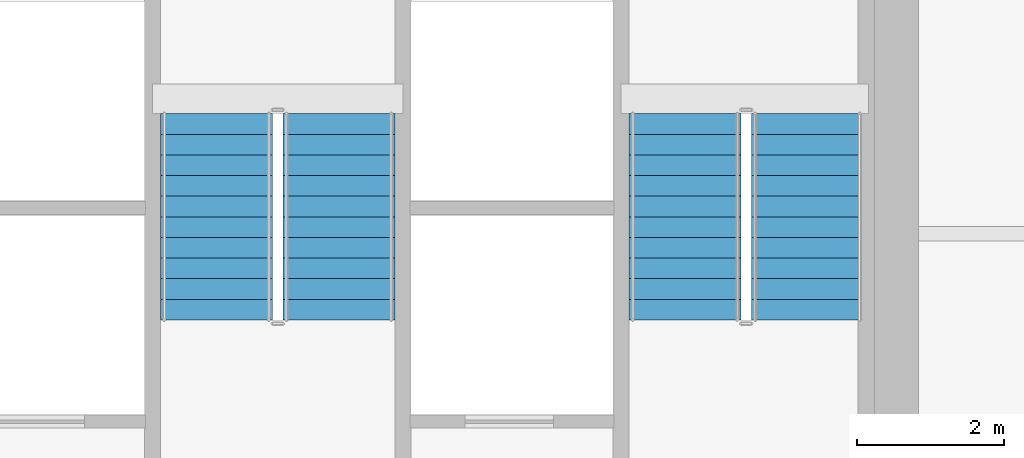
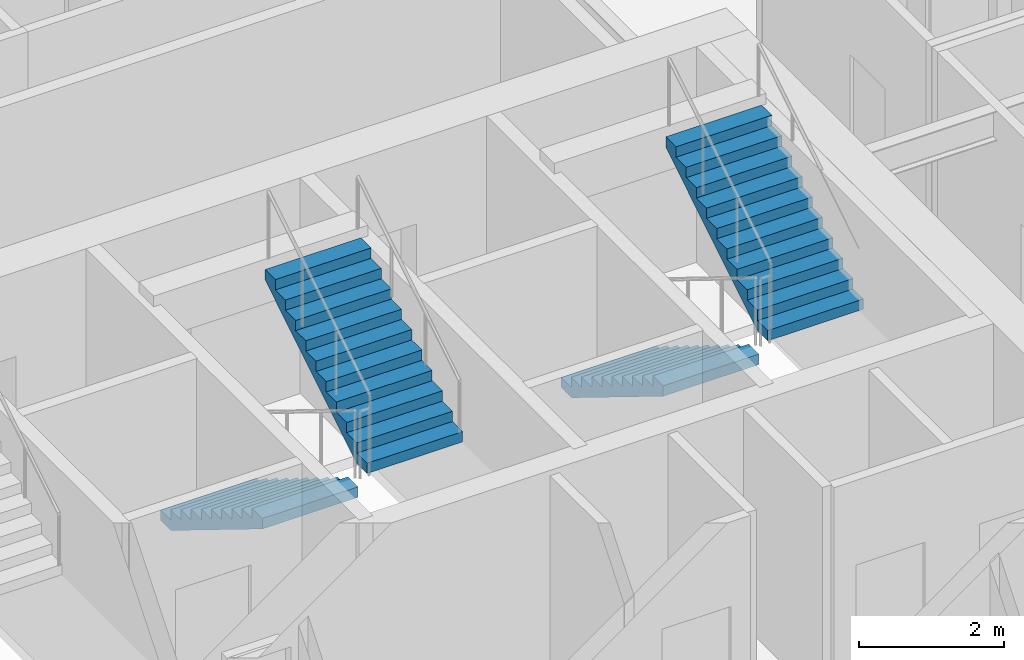
# One storey, part 10 of 11: 4 stair flights, 2 elements without a shape of their own.
"""IFC4 building model written with IfcOpenShell, lengths in metres."""

from ifc_helpers import new_model, si_unit, direction, frame, origin, place, context, subcontext, project, spatial, polyline, outline, extrude, material, type_object, element, aggregate, save


model = new_model("IFC4")

# Units and contexts
model_context = context("Model", 3, precision=1e-05, world=origin(), true_north=direction((0.0, 1.0)))
body_context = subcontext(model_context, "Body", "Model", "MODEL_VIEW")
ifc_project = project(units=[si_unit("LENGTHUNIT", "METRE"), si_unit("AREAUNIT", "SQUARE_METRE"), si_unit("VOLUMEUNIT", "CUBIC_METRE"), si_unit("PLANEANGLEUNIT", "RADIAN"), si_unit("MASSUNIT", "GRAM", prefix="KILO")], contexts=[model_context])

# Site, building, storey
site_placement = place(None, origin())
site = spatial("IfcSite", under=ifc_project, at=site_placement, CompositionType="ELEMENT")
building_placement = place(site_placement, origin())
building = spatial("IfcBuilding", under=site, at=building_placement, Name="Haolan Belvedere Tower", CompositionType="ELEMENT")
storey_placement = place(building_placement, frame((0.0, 0.0, 188.0)))
storey = spatial("IfcBuildingStorey", under=building, at=storey_placement, Name="L47", CompositionType="ELEMENT", Elevation=188.0)

# Stair, stair flights
ifc_material = material(Name="Concrete C40/50", Category="concrete")
stair_type = type_object("IfcStairType", Name="STR-DL-22R-173", PredefinedType="HALF_TURN_STAIR", material=ifc_material)
stair_1_placement = place(storey_placement, origin())
stair_1 = element("IfcStair", 1, at=stair_1_placement, inside=storey, type_object=stair_type, Name="L47 Smokeproof Core Exit Stair ST3", PredefinedType="HALF_TURN_STAIR")
stair_flight_type = type_object("IfcStairFlightType", Name="SFL-DL-11R-173", PredefinedType="STRAIGHT", material=ifc_material)
stair_flight_1_placement = place(storey_placement, frame((37.570068359375, 41.22998046875, 0.0), z_axis=(0.0, 0.0, 1.0), x_axis=(0.0, -1.0, 0.0)))
stair_flight_1 = element("IfcStairFlight", 2, at=stair_flight_1_placement, type_object=stair_flight_type, Name="ST3 flight 1", NumberOfRisers=11, NumberOfTreads=10, PredefinedType="STRAIGHT", RiserHeight=0.172727273, TreadLength=0.28, context=body_context, shape_type="SweptSolid", body=[
    extrude(outline(polyline([(0.0, 0.0), (0.0, 0.172607421875), (0.280029296875, 0.172607421875), (0.280029296875, 0.345458984375), (0.56005859375, 0.345458984375), (0.56005859375, 0.51806640625), (0.840087890625, 0.51806640625), (0.840087890625, 0.69091796875), (1.1201171875, 0.69091796875), (1.1201171875, 0.863525390625), (1.39990234375, 0.863525390625), (1.39990234375, 1.036376953125), (1.679931640625, 1.036376953125), (1.679931640625, 1.208984375), (1.9599609375, 1.208984375), (1.9599609375, 1.3818359375), (2.239990234375, 1.3818359375), (2.239990234375, 1.554443359375), (2.52001953125, 1.554443359375), (2.52001953125, 1.727294921875), (2.800048828125, 1.727294921875), (2.800048828125, 1.89990234375), (2.800048828125, 1.551025390625), (0.285400390625, 0.0), (0.0, 0.0)])), frame((0.0, 0.760009765625, 0.0), z_axis=(0.0, -1.0, 0.0), x_axis=(1.0, 0.0, 0.0)), (0.0, 0.0, 1.0), 1.52001953125),
])
stair_flight_2_placement = place(storey_placement, frame((39.22998046875, 38.429931640625, 1.89990234375), z_axis=(0.0, 0.0, 1.0), x_axis=(0.0, 1.0, 0.0)))
stair_flight_2 = element("IfcStairFlight", 3, at=stair_flight_2_placement, type_object=stair_flight_type, Name="ST3 flight 2", NumberOfRisers=11, NumberOfTreads=10, PredefinedType="STRAIGHT", RiserHeight=0.172727273, TreadLength=0.28, context=body_context, shape_type="SweptSolid", body=[
    extrude(outline(polyline([(0.0, 0.0), (0.0, 0.172607421875), (0.280029296875, 0.172607421875), (0.280029296875, 0.345458984375), (0.56005859375, 0.345458984375), (0.56005859375, 0.51806640625), (0.840087890625, 0.51806640625), (0.840087890625, 0.69091796875), (1.1201171875, 0.69091796875), (1.1201171875, 0.863525390625), (1.39990234375, 0.863525390625), (1.39990234375, 1.036376953125), (1.679931640625, 1.036376953125), (1.679931640625, 1.208984375), (1.9599609375, 1.208984375), (1.9599609375, 1.3818359375), (2.239990234375, 1.3818359375), (2.239990234375, 1.554443359375), (2.52001953125, 1.554443359375), (2.52001953125, 1.727294921875), (2.800048828125, 1.727294921875), (2.800048828125, 1.89990234375), (2.800048828125, 1.551025390625), (0.285400390625, 0.0), (0.0, 0.0)])), frame((0.0, 0.760009765625, 0.0), z_axis=(0.0, -1.0, 0.0), x_axis=(1.0, 0.0, 0.0)), (0.0, 0.0, 1.0), 1.52001953125),
])
aggregate(stair_1, [stair_flight_1, stair_flight_2])

stair_2_placement = place(storey_placement, origin())
stair_2 = element("IfcStair", 4, at=stair_2_placement, inside=storey, type_object=stair_type, Name="L47 Smokeproof Core Exit Stair ST2", PredefinedType="HALF_TURN_STAIR")
stair_flight_3_placement = place(storey_placement, frame((43.929931640625, 41.22998046875, 0.0), z_axis=(0.0, 0.0, 1.0), x_axis=(0.0, -1.0, 0.0)))
stair_flight_3 = element("IfcStairFlight", 5, at=stair_flight_3_placement, type_object=stair_flight_type, Name="ST2 flight 1", NumberOfRisers=11, NumberOfTreads=10, PredefinedType="STRAIGHT", RiserHeight=0.172727273, TreadLength=0.28, context=body_context, shape_type="SweptSolid", body=[
    extrude(outline(polyline([(0.0, 0.0), (0.0, 0.172607421875), (0.280029296875, 0.172607421875), (0.280029296875, 0.345458984375), (0.56005859375, 0.345458984375), (0.56005859375, 0.51806640625), (0.840087890625, 0.51806640625), (0.840087890625, 0.69091796875), (1.1201171875, 0.69091796875), (1.1201171875, 0.863525390625), (1.39990234375, 0.863525390625), (1.39990234375, 1.036376953125), (1.679931640625, 1.036376953125), (1.679931640625, 1.208984375), (1.9599609375, 1.208984375), (1.9599609375, 1.3818359375), (2.239990234375, 1.3818359375), (2.239990234375, 1.554443359375), (2.52001953125, 1.554443359375), (2.52001953125, 1.727294921875), (2.800048828125, 1.727294921875), (2.800048828125, 1.89990234375), (2.800048828125, 1.551025390625), (0.285400390625, 0.0), (0.0, 0.0)])), frame((0.0, 0.760009765625, 0.0), z_axis=(0.0, -1.0, 0.0), x_axis=(1.0, 0.0, 0.0)), (0.0, 0.0, 1.0), 1.52001953125),
])
stair_flight_4_placement = place(storey_placement, frame((45.590087890625, 38.429931640625, 1.89990234375), z_axis=(0.0, 0.0, 1.0), x_axis=(0.0, 1.0, 0.0)))
stair_flight_4 = element("IfcStairFlight", 6, at=stair_flight_4_placement, type_object=stair_flight_type, Name="ST2 flight 2", NumberOfRisers=11, NumberOfTreads=10, PredefinedType="STRAIGHT", RiserHeight=0.172727273, TreadLength=0.28, context=body_context, shape_type="SweptSolid", body=[
    extrude(outline(polyline([(0.0, 0.0), (0.0, 0.172607421875), (0.280029296875, 0.172607421875), (0.280029296875, 0.345458984375), (0.56005859375, 0.345458984375), (0.56005859375, 0.51806640625), (0.840087890625, 0.51806640625), (0.840087890625, 0.69091796875), (1.1201171875, 0.69091796875), (1.1201171875, 0.863525390625), (1.39990234375, 0.863525390625), (1.39990234375, 1.036376953125), (1.679931640625, 1.036376953125), (1.679931640625, 1.208984375), (1.9599609375, 1.208984375), (1.9599609375, 1.3818359375), (2.239990234375, 1.3818359375), (2.239990234375, 1.554443359375), (2.52001953125, 1.554443359375), (2.52001953125, 1.727294921875), (2.800048828125, 1.727294921875), (2.800048828125, 1.89990234375), (2.800048828125, 1.551025390625), (0.285400390625, 0.0), (0.0, 0.0)])), frame((0.0, 0.760009765625, 0.0), z_axis=(0.0, -1.0, 0.0), x_axis=(1.0, 0.0, 0.0)), (0.0, 0.0, 1.0), 1.52001953125),
])
aggregate(stair_2, [stair_flight_3, stair_flight_4])

save(model, "model.ifc")
